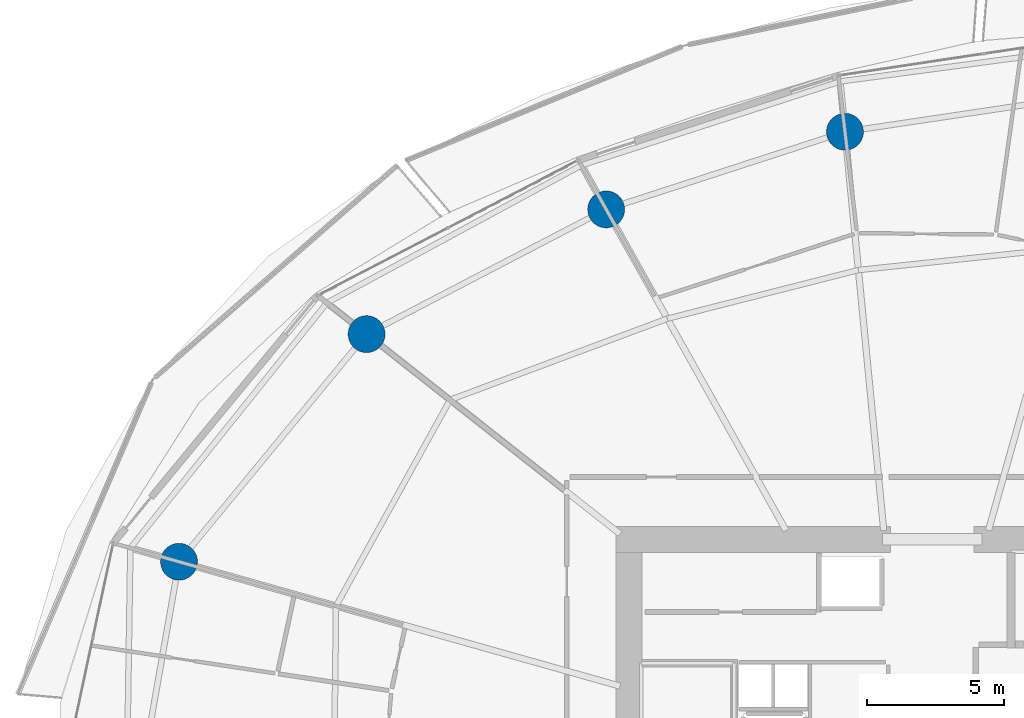
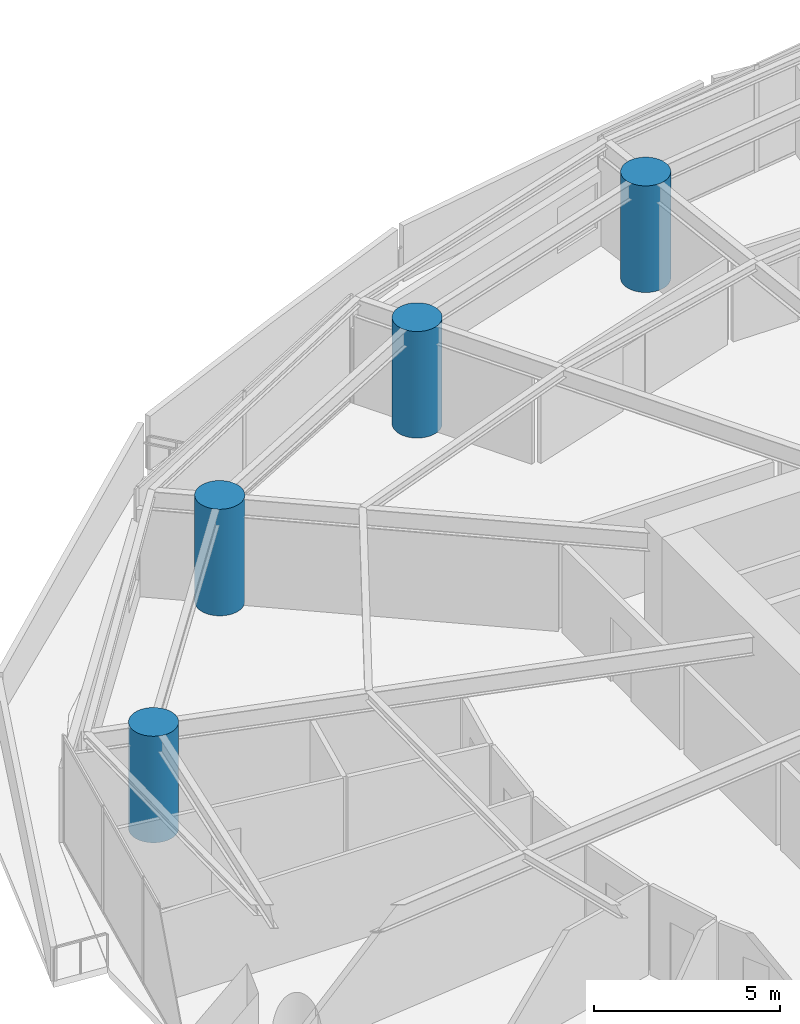
# One storey, part 4 of 30: 4 columns.
"""IFC4 building model written with IfcOpenShell, lengths in metres."""

import ifcopenshell
import ifcopenshell.guid

model = None  # the IFC model being written
_history = None  # IfcOwnerHistory: only IFC2X3 demands one
_inside = {}  # id of a spatial element -> (the spatial element, [elements in it])
_under = {}  # id of a project, library or spatial element -> (it, [spatial elements below it])
_declared = {}  # id of a project -> (the project, [libraries it declares])
_typed = {}  # id of a type object -> (the type object, [elements of that type])
_made_of = {}  # id of a material, layer set ... -> (it, [elements and type objects made of it])


def new_model(schema):
    """Start an empty IFC model of exactly this schema.

    Asked for "IFC4X3", IfcOpenShell would pick the latest addendum, in which some entities
    have other attributes; the version numbers below select the first issue.
    IFC2X3 requires an IfcOwnerHistory on every rooted entity: one is made here for all.
    """
    global model, _history
    if schema == "IFC4X3":
        model = ifcopenshell.file(schema_version=(4, 3, 0, 0))
    else:
        model = ifcopenshell.file(schema=schema)
    _inside.clear()
    _under.clear()
    _declared.clear()
    _typed.clear()
    _made_of.clear()
    _history = None
    if model.schema == "IFC2X3":
        org = make("IfcOrganization", Name="unknown")
        user = make(
            "IfcPersonAndOrganization",
            ThePerson=make("IfcPerson", FamilyName="unknown"),
            TheOrganization=org,
        )
        app = make(
            "IfcApplication",
            ApplicationDeveloper=org,
            Version="unknown",
            ApplicationFullName="unknown",
            ApplicationIdentifier="unknown",
        )
        _history = make(
            "IfcOwnerHistory",
            OwningUser=user,
            OwningApplication=app,
            ChangeAction="ADDED",
            CreationDate=0,
        )
    return model


def make(cls, **values):
    """One entity of the class cls with the attributes given. An attribute that is None is left unset."""
    return model.create_entity(
        cls, **{name: value for name, value in values.items() if value is not None}
    )


def rooted(cls, **values):
    """An entity with a GlobalId (a new one), such as an element, a storey or a relation."""
    return make(cls, GlobalId=ifcopenshell.guid.new(), OwnerHistory=_history, **values)


def si_unit(unit_type, name, prefix=None):
    """IfcSIUnit, for example si_unit("LENGTHUNIT", "METRE", prefix="MILLI")."""
    return make("IfcSIUnit", UnitType=unit_type, Prefix=prefix, Name=name)


def assignment(units):
    """IfcUnitAssignment: the units of a project."""
    return None if units is None else make("IfcUnitAssignment", Units=units)


def point(xyz):
    """IfcCartesianPoint."""
    return None if xyz is None else make("IfcCartesianPoint", Coordinates=xyz)


def direction(xyz):
    """IfcDirection."""
    return None if xyz is None else make("IfcDirection", DirectionRatios=xyz)


def frame(location, z_axis=None, x_axis=None):
    """IfcAxis2Placement3D, a coordinate frame: its origin and axes. An axis left out is left unset."""
    return make(
        "IfcAxis2Placement3D",
        Location=point(location),
        Axis=direction(z_axis),
        RefDirection=direction(x_axis),
    )


def frame_2d(location, x_axis=None):
    """IfcAxis2Placement2D, a coordinate frame in the plane: its origin and x axis."""
    return make(
        "IfcAxis2Placement2D", Location=point(location), RefDirection=direction(x_axis)
    )


def origin():
    """The frame at (0, 0, 0) with its axes left unset."""
    return frame((0.0, 0.0, 0.0))


def origin_2d():
    """The frame at (0, 0) in the plane with its x axis left unset."""
    return frame_2d((0.0, 0.0))


def place(relative_to, where):
    """IfcLocalPlacement: puts the frame where relative to a parent placement (None: the world)."""
    return make(
        "IfcLocalPlacement", PlacementRelTo=relative_to, RelativePlacement=where
    )


def context(
    kind, dimensions, precision=None, world=None, true_north=None, identifier=None
):
    """IfcGeometricRepresentationContext, for example the 3D "Model" context."""
    return make(
        "IfcGeometricRepresentationContext",
        ContextIdentifier=identifier,
        ContextType=kind,
        CoordinateSpaceDimension=dimensions,
        Precision=precision,
        WorldCoordinateSystem=world,
        TrueNorth=true_north,
    )


def subcontext(parent, identifier, kind, view, scale=None):
    """IfcGeometricRepresentationSubContext, for example "Body" below "Model"."""
    return make(
        "IfcGeometricRepresentationSubContext",
        ContextIdentifier=identifier,
        ContextType=kind,
        ParentContext=parent,
        TargetScale=scale,
        TargetView=view,
    )


def project(units=None, contexts=None):
    """IfcProject with its units and contexts."""
    return rooted(
        "IfcProject",
        Name="project",
        RepresentationContexts=contexts,
        UnitsInContext=assignment(units),
    )


def spatial(cls, under=None, at=None, **own):
    """A site, building, storey or space (cls), placed at a placement, below another one or the project."""
    s = rooted(cls, ObjectPlacement=at, **own)
    if under is not None:
        _under.setdefault(under.id(), (under, []))[1].append(s)
    return s


def profile(cls, at=None, kind="AREA", **sizes):
    """A parametric profile (cls). Its sizes go by their IFC names, for example OverallWidth=200.0."""
    return make(cls, ProfileType=kind, Position=at, **sizes)


def circle(**sizes):
    """IfcCircleProfileDef."""
    return profile("IfcCircleProfileDef", **sizes)


def extrude(swept, where, along, depth):
    """IfcExtrudedAreaSolid: the profile swept, set in the frame where, extruded along a direction by depth."""
    return make(
        "IfcExtrudedAreaSolid",
        SweptArea=swept,
        Position=where,
        ExtrudedDirection=direction(along),
        Depth=depth,
    )


def shape(context_of_items, identifier, shape_type, items):
    """IfcShapeRepresentation: the items that make up one representation, for example the "Body"."""
    return make(
        "IfcShapeRepresentation",
        ContextOfItems=context_of_items,
        RepresentationIdentifier=identifier,
        RepresentationType=shape_type,
        Items=items,
    )


def material(Name=None, Category=None):
    """IfcMaterial."""
    return make("IfcMaterial", Name=Name, Category=Category)


def material_profile(
    of_material, cross_section, Name=None, Category=None, Priority=None
):
    """IfcMaterialProfile: a cross section and its material."""
    return make(
        "IfcMaterialProfile",
        Name=Name,
        Material=of_material,
        Profile=cross_section,
        Priority=Priority,
        Category=Category,
    )


def profile_set(profiles, Name=None, composite=None):
    """IfcMaterialProfileSet."""
    return make(
        "IfcMaterialProfileSet",
        Name=Name,
        MaterialProfiles=profiles,
        CompositeProfile=composite,
    )


def made_of(thing, what):
    """Note that an element or type object is made of a material, layer set ...; save() writes the relation."""
    if what is not None:
        _made_of.setdefault(what.id(), (what, []))[1].append(thing)
    return thing


def type_object(cls, material=None, **own):
    """A type object (cls), such as IfcWallType, which elements share."""
    return made_of(rooted(cls, **own), material)


def element(
    cls,
    number,
    at=None,
    inside=None,
    cuts=None,
    type_object=None,
    material=None,
    context=None,
    identifier="Body",
    shape_type=None,
    held_by="IfcProductDefinitionShape",
    body=None,
    shapes=None,
    **own,
):
    """One element of the class cls, such as IfcWall. Its Tag is "e" and its number.

    at: its placement. inside: the storey or other place that contains it. cuts: it is an
    opening in that element (IfcRelVoidsElement). A single representation is given by context,
    identifier, shape_type and body (its items); several are given by shapes. held_by: the class
    of the entity that holds the representations. save() writes the other relations.
    """
    e = rooted(cls, Tag="e%d" % number, ObjectPlacement=at, **own)
    if body is not None:
        shapes = [shape(context, identifier, shape_type, body)]
    if shapes is not None:
        e.Representation = make(held_by, Representations=shapes)
    if inside is not None:
        _inside.setdefault(inside.id(), (inside, []))[1].append(e)
    if cuts is not None:
        rooted(
            "IfcRelVoidsElement", RelatingBuildingElement=cuts, RelatedOpeningElement=e
        )
    if type_object is not None:
        _typed.setdefault(type_object.id(), (type_object, []))[1].append(e)
    return made_of(e, material)


def aggregate(whole, parts):
    """IfcRelAggregates: a whole, such as a stair, and the parts it consists of."""
    return rooted("IfcRelAggregates", RelatingObject=whole, RelatedObjects=parts)


def save(model, path):
    """Write the relations noted so far, then the file.

    IfcRelAggregates (storeys below a building ...), IfcRelContainedInSpatialStructure (elements
    in a storey), IfcRelDefinesByType, IfcRelAssociatesMaterial and IfcRelDeclares: one each for
    every whole, place, type object, material and project.
    """
    for whole, parts in _under.values():
        aggregate(whole, parts)
    for where, things in _inside.values():
        rooted(
            "IfcRelContainedInSpatialStructure",
            RelatedElements=things,
            RelatingStructure=where,
        )
    for kind, things in _typed.values():
        rooted("IfcRelDefinesByType", RelatedObjects=things, RelatingType=kind)
    for what, things in _made_of.values():
        rooted("IfcRelAssociatesMaterial", RelatedObjects=things, RelatingMaterial=what)
    for by, libraries in _declared.values():
        rooted("IfcRelDeclares", RelatingContext=by, RelatedDefinitions=libraries)
    model.write(path)


model = new_model("IFC4")

# Units and contexts
model_context = context("Model", 3, precision=1e-05, world=origin(), true_north=direction((0.0, 1.0)))
body_context = subcontext(model_context, "Body", "Model", "MODEL_VIEW")
ifc_project = project(units=[si_unit("LENGTHUNIT", "METRE"), si_unit("AREAUNIT", "SQUARE_METRE"), si_unit("VOLUMEUNIT", "CUBIC_METRE"), si_unit("PLANEANGLEUNIT", "RADIAN"), si_unit("MASSUNIT", "GRAM", prefix="KILO")], contexts=[model_context])

# Site, building, storey
site_placement = place(None, origin())
site = spatial("IfcSite", under=ifc_project, at=site_placement, CompositionType="ELEMENT")
building_placement = place(site_placement, origin())
building = spatial("IfcBuilding", under=site, at=building_placement, Name="Kazma Halo Residences", CompositionType="ELEMENT")
storey_placement = place(building_placement, frame((0.0, 0.0, 56.39990234375)))
storey = spatial("IfcBuildingStorey", under=building, at=storey_placement, Name="L13", CompositionType="ELEMENT", Elevation=56.39990234375)

# Columns
ifc_material = material(Name="Concrete C80/95", Category="concrete")
ifc_material_profile = material_profile(ifc_material, circle(Radius=0.675048828125, at=origin_2d()), Name="CIRC1350")
ifc_profile_set = profile_set([ifc_material_profile], Name="Concrete C80/95")
column_type = type_object("IfcColumnType", Name="COL-PERIM-1350", PredefinedType="COLUMN", material=ifc_profile_set)
for number, where, z_axis, x_axis, name in (
    (1, (45.231689453125, 65.389404296875, 0.0), (0.0, 0.0, 1.0), (1.0, 0.0, 0.0), "L13 perimeter ring column P04"),
    (2, (36.49169921875, 62.549560546875, 0.0), (0.0, 0.0, 1.0), (1.0, 0.0, 0.0), "L13 perimeter ring column P05"),
    (3, (27.72412109375, 57.984130859375, 0.0), (0.0, 0.0, 1.0), (1.0, 0.0, 0.0), "L13 perimeter ring column P06"),
    (4, (20.859130859375, 49.654541015625, 0.0), (0.0, 0.0, 1.0), (1.0, 0.0, 0.0), "L13 perimeter ring column P07"),
):
    element("IfcColumn", number, at=place(storey_placement, frame(where, z_axis=z_axis, x_axis=x_axis)), inside=storey, type_object=column_type, Name=name, PredefinedType="COLUMN", context=body_context, shape_type="SweptSolid", body=[
        extrude(circle(Radius=0.675048828125, at=origin_2d()), origin(), (0.0, 0.0, 1.0), 3.5),
    ])

save(model, "model.ifc")
